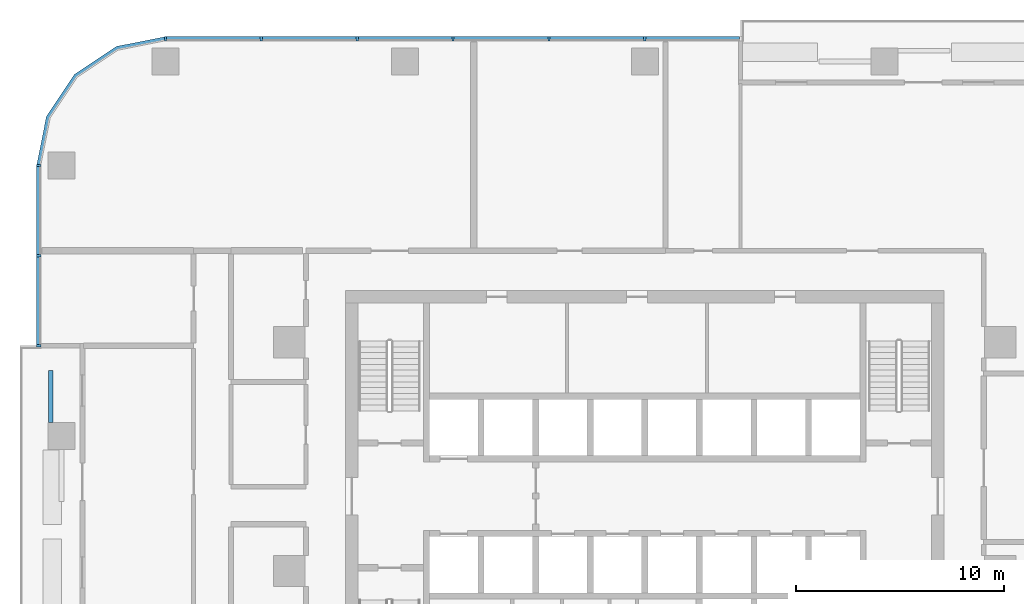
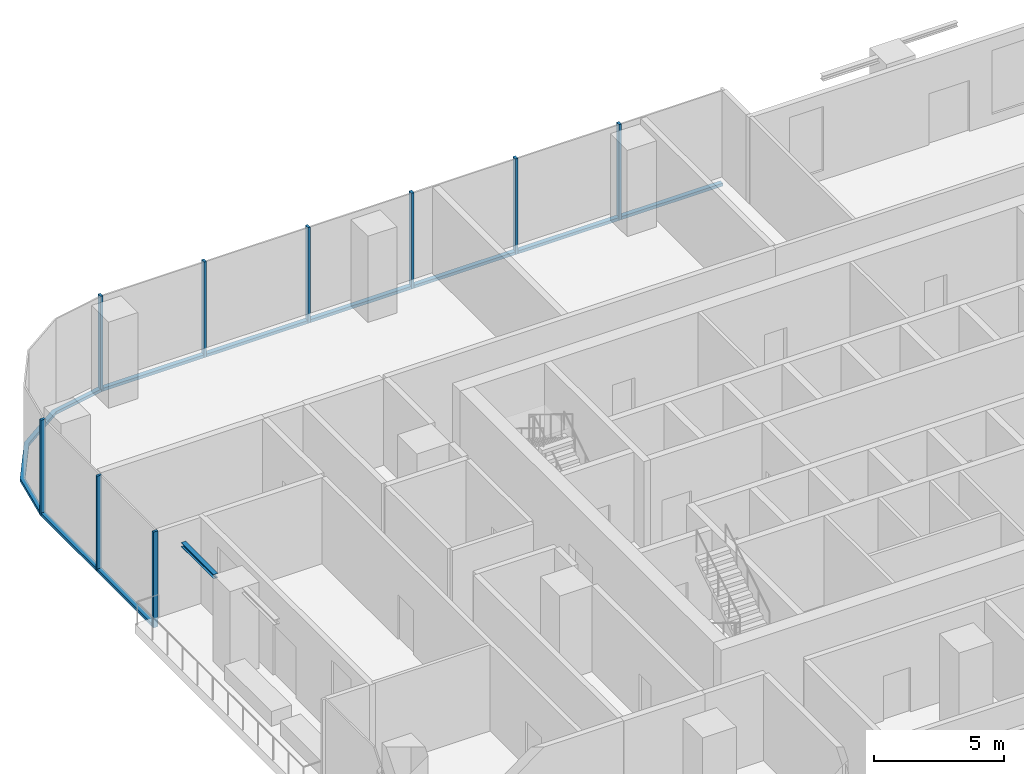
# One storey, part 4 of 15: 18 members, 1 beam, 3 elements without a shape of their own.
"""IFC4 building model written with IfcOpenShell, lengths in metres."""

from ifc_helpers import new_model, si_unit, direction, frame, origin, origin_2d, place, context, subcontext, project, spatial, polyline, rectangle, i_section, outline, extrude, material, material_profile, profile_set, type_object, element, aggregate, save


model = new_model("IFC4")

# Units and contexts
model_context = context("Model", 3, precision=1e-05, world=origin(), true_north=direction((0.0, 1.0)))
body_context = subcontext(model_context, "Body", "Model", "MODEL_VIEW")
ifc_project = project(units=[si_unit("LENGTHUNIT", "METRE"), si_unit("AREAUNIT", "SQUARE_METRE"), si_unit("VOLUMEUNIT", "CUBIC_METRE"), si_unit("PLANEANGLEUNIT", "RADIAN"), si_unit("MASSUNIT", "GRAM", prefix="KILO")], contexts=[model_context])

# Site, building, storey
site_placement = place(None, origin())
site = spatial("IfcSite", under=ifc_project, at=site_placement, CompositionType="ELEMENT")
building_placement = place(site_placement, origin())
building = spatial("IfcBuilding", under=site, at=building_placement, Name="Mopane Tessera Tower", CompositionType="ELEMENT")
storey_placement = place(building_placement, frame((0.0, 0.0, 99.10009765625)))
storey = spatial("IfcBuildingStorey", under=building, at=storey_placement, Name="L19", CompositionType="ELEMENT", Elevation=99.10009765625)

# Curtain wall, members
ifc_material_1 = material(Name="Aluminium frame", Category="aluminium")
curtain_wall_type = type_object("IfcCurtainWallType", Name="Lower tower unitised wall", PredefinedType="NOTDEFINED", material=ifc_material_1)
curtain_wall_1_placement = place(storey_placement, origin())
curtain_wall_1 = element("IfcCurtainWall", 1, at=curtain_wall_1_placement, inside=storey, type_object=curtain_wall_type, Name="e:cw:L19:N:4", PredefinedType="NOTDEFINED")
ifc_material_2 = material(Name="Aluminium frame", Category="aluminium")
ifc_material_profile_1 = material_profile(ifc_material_2, rectangle(XDim=0.110107421875, YDim=0.199951171875, at=origin_2d()))
ifc_profile_set_1 = profile_set([ifc_material_profile_1], Name="Aluminium frame")
member_type_1 = type_object("IfcMemberType", Name="Aluminium mullion 110 x 200", PredefinedType="MULLION", material=ifc_profile_set_1)
member_1_placement = place(storey_placement, frame((0.0, 25.60009765625, -0.4501953125), z_axis=(0.0, 0.0, 1.0), x_axis=(-1.0, 0.0, 0.0)))
member_1 = element("IfcMember", 2, at=member_1_placement, type_object=member_type_1, Name="e:cw:L19:N:4:mu5", PredefinedType="MULLION", context=body_context, shape_type="SweptSolid", body=[
    extrude(rectangle(XDim=0.110107421875, YDim=0.199951171875, at=origin_2d()), origin(), (0.0, 0.0, 1.0), 4.5),
])
member_2_placement = place(storey_placement, frame((-4.610107421875, 25.60009765625, -0.4501953125), z_axis=(0.0, 0.0, 1.0), x_axis=(-1.0, 0.0, 0.0)))
member_2 = element("IfcMember", 3, at=member_2_placement, type_object=member_type_1, Name="e:cw:L19:N:4:mu6", PredefinedType="MULLION", context=body_context, shape_type="SweptSolid", body=[
    extrude(rectangle(XDim=0.110107421875, YDim=0.199951171875, at=origin_2d()), origin(), (0.0, 0.0, 1.0), 4.5),
])
member_3_placement = place(storey_placement, frame((-9.219970703125, 25.60009765625, -0.4501953125), z_axis=(0.0, 0.0, 1.0), x_axis=(-1.0, 0.0, 0.0)))
member_3 = element("IfcMember", 4, at=member_3_placement, type_object=member_type_1, Name="e:cw:L19:N:4:mu7", PredefinedType="MULLION", context=body_context, shape_type="SweptSolid", body=[
    extrude(rectangle(XDim=0.110107421875, YDim=0.199951171875, at=origin_2d()), origin(), (0.0, 0.0, 1.0), 4.5),
])
member_4_placement = place(storey_placement, frame((-13.830078125, 25.60009765625, -0.4501953125), z_axis=(0.0, 0.0, 1.0), x_axis=(-1.0, 0.0, 0.0)))
member_4 = element("IfcMember", 5, at=member_4_placement, type_object=member_type_1, Name="e:cw:L19:N:4:mu8", PredefinedType="MULLION", context=body_context, shape_type="SweptSolid", body=[
    extrude(rectangle(XDim=0.110107421875, YDim=0.199951171875, at=origin_2d()), origin(), (0.0, 0.0, 1.0), 4.5),
])
member_5_placement = place(storey_placement, frame((-18.43994140625, 25.60009765625, -0.4501953125), z_axis=(0.0, 0.0, 1.0), x_axis=(-1.0, 0.0, 0.0)))
member_5 = element("IfcMember", 6, at=member_5_placement, type_object=member_type_1, Name="e:cw:L19:N:4:mu9", PredefinedType="MULLION", context=body_context, shape_type="SweptSolid", body=[
    extrude(rectangle(XDim=0.110107421875, YDim=0.199951171875, at=origin_2d()), origin(), (0.0, 0.0, 1.0), 4.5),
])
member_6_placement = place(storey_placement, frame((-23.050048828125, 25.60009765625, -0.4501953125), z_axis=(0.0, 0.0, 1.0), x_axis=(-1.0, 0.0, 0.0)))
member_6 = element("IfcMember", 7, at=member_6_placement, type_object=member_type_1, Name="e:cw:L19:N:4:mu10", PredefinedType="MULLION", context=body_context, shape_type="SweptSolid", body=[
    extrude(rectangle(XDim=0.110107421875, YDim=0.199951171875, at=origin_2d()), origin(), (0.0, 0.0, 1.0), 4.5),
])

curtain_wall_2_placement = place(storey_placement, origin())
curtain_wall_2 = element("IfcCurtainWall", 8, at=curtain_wall_2_placement, inside=storey, type_object=curtain_wall_type, Name="e:cw:L19:W:0", PredefinedType="NOTDEFINED")
member_7_placement = place(storey_placement, frame((-29.14990234375, 19.5, -0.4501953125), z_axis=(0.0, 0.0, 1.0), x_axis=(0.0, -1.0, 0.0)))
member_7 = element("IfcMember", 9, at=member_7_placement, type_object=member_type_1, Name="e:cw:L19:W:0:mu0", PredefinedType="MULLION", context=body_context, shape_type="SweptSolid", body=[
    extrude(rectangle(XDim=0.110107421875, YDim=0.199951171875, at=origin_2d()), origin(), (0.0, 0.0, 1.0), 4.5),
])
member_8_placement = place(storey_placement, frame((-29.14990234375, 15.166748046875, -0.4501953125), z_axis=(0.0, 0.0, 1.0), x_axis=(0.0, -1.0, 0.0)))
member_8 = element("IfcMember", 10, at=member_8_placement, type_object=member_type_1, Name="e:cw:L19:W:0:mu1", PredefinedType="MULLION", context=body_context, shape_type="SweptSolid", body=[
    extrude(rectangle(XDim=0.110107421875, YDim=0.199951171875, at=origin_2d()), origin(), (0.0, 0.0, 1.0), 4.5),
])
member_9_placement = place(storey_placement, frame((-29.14990234375, 10.833251953125, -0.4501953125), z_axis=(0.0, 0.0, 1.0), x_axis=(0.0, -1.0, 0.0)))
member_9 = element("IfcMember", 11, at=member_9_placement, type_object=member_type_1, Name="e:cw:L19:W:0:mu2", PredefinedType="MULLION", context=body_context, shape_type="SweptSolid", body=[
    extrude(rectangle(XDim=0.110107421875, YDim=0.199951171875, at=origin_2d()), origin(), (0.0, 0.0, 1.0), 4.5),
])

# Member
ifc_material_3 = material(Name="Aluminium frame", Category="aluminium")
ifc_material_profile_2 = material_profile(ifc_material_3, rectangle(XDim=0.199951171875, YDim=0.139892578125, at=origin_2d()))
ifc_profile_set_2 = profile_set([ifc_material_profile_2], Name="Aluminium frame")
member_type_2 = type_object("IfcMemberType", Name="Aluminium transom 200 x 140", PredefinedType="USERDEFINED", material=ifc_profile_set_2)
member_10_placement = place(storey_placement, frame((4.554931640625, 25.60009765625, -0.380126953125), z_axis=(-1.0, 0.0, 0.0), x_axis=(0.0, -1.0, 0.0)))
member_10 = element("IfcMember", 12, at=member_10_placement, type_object=member_type_2, Name="e:cw:L19:N:4:tr4", ObjectType="TRANSOM", PredefinedType="USERDEFINED", context=body_context, shape_type="SweptSolid", body=[
    extrude(rectangle(XDim=0.199951171875, YDim=0.139892578125, at=origin_2d()), origin(), (0.0, 0.0, 1.0), 4.5),
])

member_11_placement = place(storey_placement, frame((-0.054931640625, 25.60009765625, -0.380126953125), z_axis=(-1.0, 0.0, 0.0), x_axis=(0.0, -1.0, 0.0)))
member_11 = element("IfcMember", 13, at=member_11_placement, type_object=member_type_2, Name="e:cw:L19:N:4:tr5", ObjectType="TRANSOM", PredefinedType="USERDEFINED", context=body_context, shape_type="SweptSolid", body=[
    extrude(rectangle(XDim=0.199951171875, YDim=0.139892578125, at=origin_2d()), origin(), (0.0, 0.0, 1.0), 4.5),
])

member_12_placement = place(storey_placement, frame((-4.6650390625, 25.60009765625, -0.380126953125), z_axis=(-1.0, 0.0, 0.0), x_axis=(0.0, -1.0, 0.0)))
member_12 = element("IfcMember", 14, at=member_12_placement, type_object=member_type_2, Name="e:cw:L19:N:4:tr6", ObjectType="TRANSOM", PredefinedType="USERDEFINED", context=body_context, shape_type="SweptSolid", body=[
    extrude(rectangle(XDim=0.199951171875, YDim=0.139892578125, at=origin_2d()), origin(), (0.0, 0.0, 1.0), 4.5),
])

member_13_placement = place(storey_placement, frame((-9.27490234375, 25.60009765625, -0.380126953125), z_axis=(-1.0, 0.0, 0.0), x_axis=(0.0, -1.0, 0.0)))
member_13 = element("IfcMember", 15, at=member_13_placement, type_object=member_type_2, Name="e:cw:L19:N:4:tr7", ObjectType="TRANSOM", PredefinedType="USERDEFINED", context=body_context, shape_type="SweptSolid", body=[
    extrude(rectangle(XDim=0.199951171875, YDim=0.139892578125, at=origin_2d()), origin(), (0.0, 0.0, 1.0), 4.5),
])

member_14_placement = place(storey_placement, frame((-13.885009765625, 25.60009765625, -0.380126953125), z_axis=(-1.0, 0.0, 0.0), x_axis=(0.0, -1.0, 0.0)))
member_14 = element("IfcMember", 16, at=member_14_placement, type_object=member_type_2, Name="e:cw:L19:N:4:tr8", ObjectType="TRANSOM", PredefinedType="USERDEFINED", context=body_context, shape_type="SweptSolid", body=[
    extrude(rectangle(XDim=0.199951171875, YDim=0.139892578125, at=origin_2d()), origin(), (0.0, 0.0, 1.0), 4.5),
])

member_15_placement = place(storey_placement, frame((-18.4951171875, 25.60009765625, -0.380126953125), z_axis=(-1.0, 0.0, 0.0), x_axis=(0.0, -1.0, 0.0)))
member_15 = element("IfcMember", 17, at=member_15_placement, type_object=member_type_2, Name="e:cw:L19:N:4:tr9", ObjectType="TRANSOM", PredefinedType="USERDEFINED", context=body_context, shape_type="SweptSolid", body=[
    extrude(rectangle(XDim=0.199951171875, YDim=0.139892578125, at=origin_2d()), origin(), (0.0, 0.0, 1.0), 4.5),
])

aggregate(curtain_wall_1, [member_1, member_2, member_3, member_4, member_5, member_6, member_10, member_11, member_12, member_13, member_14, member_15])

# Curtain wall, member
curtain_wall_3_placement = place(storey_placement, origin())
curtain_wall_3 = element("IfcCurtainWall", 18, at=curtain_wall_3_placement, inside=storey, type_object=curtain_wall_type, Name="e:cw:L19:CN", PredefinedType="NOTDEFINED")
member_16_placement = place(storey_placement, frame((0.0, 0.0, -0.4501953125)))
member_16 = element("IfcMember", 19, at=member_16_placement, type_object=member_type_2, Name="e:cw:L19:CN:tr", ObjectType="TRANSOM", PredefinedType="USERDEFINED", context=body_context, shape_type="SweptSolid", body=[
    extrude(outline(polyline([(-23.050048828125, 25.5), (-25.34619140625, 25.043212890625), (-27.292724609375, 23.74267578125), (-28.59326171875, 21.796142578125), (-29.050048828125, 19.5), (-29.25, 19.5), (-28.778076171875, 21.87255859375), (-27.43408203125, 23.884033203125), (-25.422607421875, 25.22802734375), (-23.050048828125, 25.699951171875), (-23.050048828125, 25.5)])), origin(), (0.0, 0.0, 1.0), 0.14013671875),
])
aggregate(curtain_wall_3, [member_16])

# Member
member_17_placement = place(storey_placement, frame((-29.14990234375, 19.445068359375, -0.380126953125), z_axis=(0.0, -1.0, 0.0), x_axis=(1.0, 0.0, 0.0)))
member_17 = element("IfcMember", 20, at=member_17_placement, type_object=member_type_2, Name="e:cw:L19:W:0:tr0", ObjectType="TRANSOM", PredefinedType="USERDEFINED", context=body_context, shape_type="SweptSolid", body=[
    extrude(rectangle(XDim=0.199951171875, YDim=0.139892578125, at=origin_2d()), origin(), (0.0, 0.0, 1.0), 4.223388671875),
])

member_18_placement = place(storey_placement, frame((-29.14990234375, 15.111572265625, -0.380126953125), z_axis=(0.0, -1.0, 0.0), x_axis=(1.0, 0.0, 0.0)))
member_18 = element("IfcMember", 21, at=member_18_placement, type_object=member_type_2, Name="e:cw:L19:W:0:tr1", ObjectType="TRANSOM", PredefinedType="USERDEFINED", context=body_context, shape_type="SweptSolid", body=[
    extrude(rectangle(XDim=0.199951171875, YDim=0.139892578125, at=origin_2d()), origin(), (0.0, 0.0, 1.0), 4.22314453125),
])

aggregate(curtain_wall_2, [member_7, member_8, member_9, member_17, member_18])

# Beam
ifc_material_4 = material(Name="Structural steel S460", Category="steel")
ifc_material_profile_3 = material_profile(ifc_material_4, i_section(OverallWidth=0.199951171875, OverallDepth=0.199951171875, WebThickness=0.009033203125, FlangeThickness=0.014892578125, FilletRadius=0.01806640625, at=origin_2d()))
ifc_profile_set_3 = profile_set([ifc_material_profile_3], Name="Structural steel S460")
beam_type = type_object("IfcBeamType", Name="Terrace trimmer beam HE 200 B", PredefinedType="BEAM", material=ifc_profile_set_3)
beam_placement = place(storey_placement, frame((-28.570068359375, 7.153076171875, 3.949951171875), z_axis=(0.0, 1.0, 0.0), x_axis=(-1.0, 0.0, 0.0)))
element("IfcBeam", 22, at=beam_placement, inside=storey, type_object=beam_type, Name="Terrace trimmer beam N2 L20", PredefinedType="BEAM", context=body_context, shape_type="SweptSolid", body=[
    extrude(i_section(OverallWidth=0.199951171875, OverallDepth=0.199951171875, WebThickness=0.009033203125, FlangeThickness=0.014892578125, FilletRadius=0.01806640625, at=origin_2d()), origin(), (0.0, 0.0, 1.0), 2.5),
])

save(model, "model.ifc")
